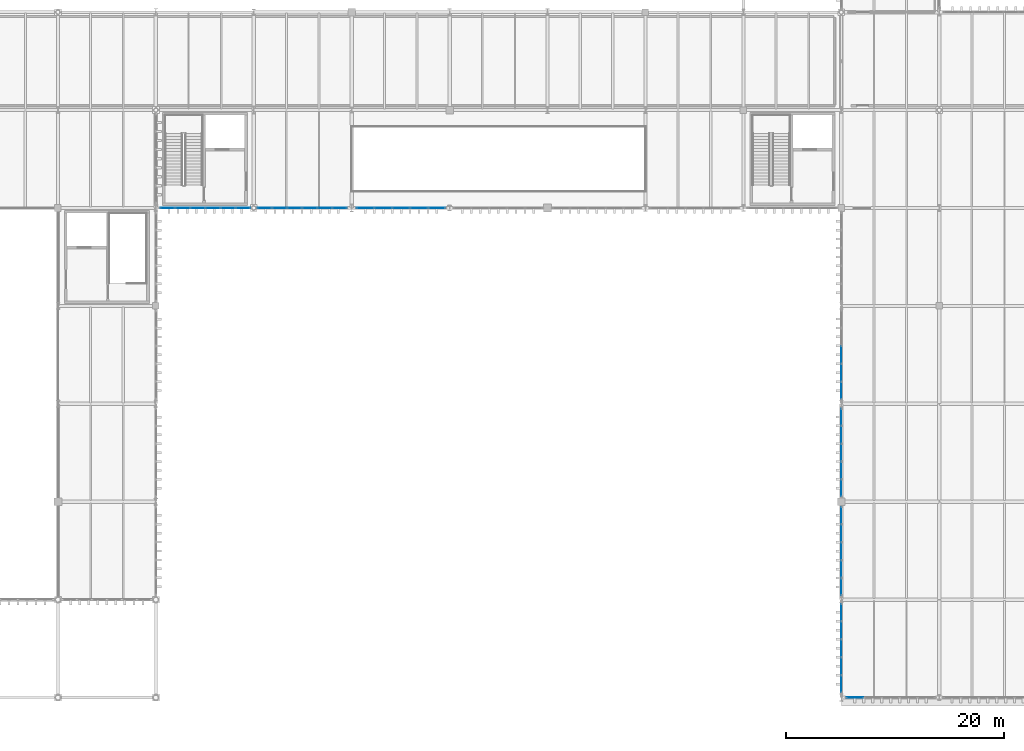
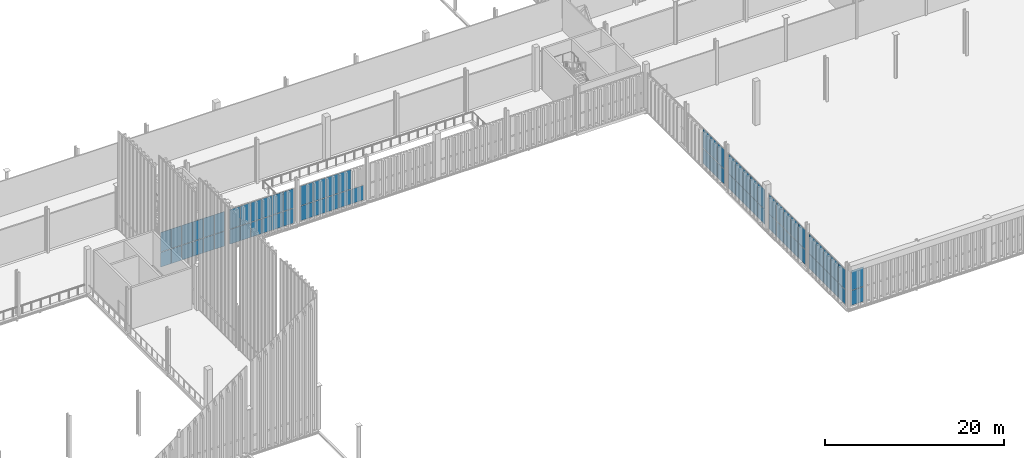
# One storey, part 185 of 237: 71 plates, 8 elements without a shape of their own.
"""IFC4 building model written with IfcOpenShell, lengths in metres."""

import ifcopenshell
import ifcopenshell.guid

model = None  # the IFC model being written
_history = None  # IfcOwnerHistory: only IFC2X3 demands one
_inside = {}  # id of a spatial element -> (the spatial element, [elements in it])
_under = {}  # id of a project, library or spatial element -> (it, [spatial elements below it])
_declared = {}  # id of a project -> (the project, [libraries it declares])
_typed = {}  # id of a type object -> (the type object, [elements of that type])
_made_of = {}  # id of a material, layer set ... -> (it, [elements and type objects made of it])


def new_model(schema):
    """Start an empty IFC model of exactly this schema.

    Asked for "IFC4X3", IfcOpenShell would pick the latest addendum, in which some entities
    have other attributes; the version numbers below select the first issue.
    IFC2X3 requires an IfcOwnerHistory on every rooted entity: one is made here for all.
    """
    global model, _history
    if schema == "IFC4X3":
        model = ifcopenshell.file(schema_version=(4, 3, 0, 0))
    else:
        model = ifcopenshell.file(schema=schema)
    _inside.clear()
    _under.clear()
    _declared.clear()
    _typed.clear()
    _made_of.clear()
    _history = None
    if model.schema == "IFC2X3":
        org = make("IfcOrganization", Name="unknown")
        user = make(
            "IfcPersonAndOrganization",
            ThePerson=make("IfcPerson", FamilyName="unknown"),
            TheOrganization=org,
        )
        app = make(
            "IfcApplication",
            ApplicationDeveloper=org,
            Version="unknown",
            ApplicationFullName="unknown",
            ApplicationIdentifier="unknown",
        )
        _history = make(
            "IfcOwnerHistory",
            OwningUser=user,
            OwningApplication=app,
            ChangeAction="ADDED",
            CreationDate=0,
        )
    return model


def make(cls, **values):
    """One entity of the class cls with the attributes given. An attribute that is None is left unset."""
    return model.create_entity(
        cls, **{name: value for name, value in values.items() if value is not None}
    )


def rooted(cls, **values):
    """An entity with a GlobalId (a new one), such as an element, a storey or a relation."""
    return make(cls, GlobalId=ifcopenshell.guid.new(), OwnerHistory=_history, **values)


def si_unit(unit_type, name, prefix=None):
    """IfcSIUnit, for example si_unit("LENGTHUNIT", "METRE", prefix="MILLI")."""
    return make("IfcSIUnit", UnitType=unit_type, Prefix=prefix, Name=name)


def assignment(units):
    """IfcUnitAssignment: the units of a project."""
    return None if units is None else make("IfcUnitAssignment", Units=units)


def point(xyz):
    """IfcCartesianPoint."""
    return None if xyz is None else make("IfcCartesianPoint", Coordinates=xyz)


def direction(xyz):
    """IfcDirection."""
    return None if xyz is None else make("IfcDirection", DirectionRatios=xyz)


def frame(location, z_axis=None, x_axis=None):
    """IfcAxis2Placement3D, a coordinate frame: its origin and axes. An axis left out is left unset."""
    return make(
        "IfcAxis2Placement3D",
        Location=point(location),
        Axis=direction(z_axis),
        RefDirection=direction(x_axis),
    )


def frame_2d(location, x_axis=None):
    """IfcAxis2Placement2D, a coordinate frame in the plane: its origin and x axis."""
    return make(
        "IfcAxis2Placement2D", Location=point(location), RefDirection=direction(x_axis)
    )


def origin():
    """The frame at (0, 0, 0) with its axes left unset."""
    return frame((0.0, 0.0, 0.0))


def origin_2d():
    """The frame at (0, 0) in the plane with its x axis left unset."""
    return frame_2d((0.0, 0.0))


def place(relative_to, where):
    """IfcLocalPlacement: puts the frame where relative to a parent placement (None: the world)."""
    return make(
        "IfcLocalPlacement", PlacementRelTo=relative_to, RelativePlacement=where
    )


def context(
    kind, dimensions, precision=None, world=None, true_north=None, identifier=None
):
    """IfcGeometricRepresentationContext, for example the 3D "Model" context."""
    return make(
        "IfcGeometricRepresentationContext",
        ContextIdentifier=identifier,
        ContextType=kind,
        CoordinateSpaceDimension=dimensions,
        Precision=precision,
        WorldCoordinateSystem=world,
        TrueNorth=true_north,
    )


def subcontext(parent, identifier, kind, view, scale=None):
    """IfcGeometricRepresentationSubContext, for example "Body" below "Model"."""
    return make(
        "IfcGeometricRepresentationSubContext",
        ContextIdentifier=identifier,
        ContextType=kind,
        ParentContext=parent,
        TargetScale=scale,
        TargetView=view,
    )


def project(units=None, contexts=None):
    """IfcProject with its units and contexts."""
    return rooted(
        "IfcProject",
        Name="project",
        RepresentationContexts=contexts,
        UnitsInContext=assignment(units),
    )


def spatial(cls, under=None, at=None, **own):
    """A site, building, storey or space (cls), placed at a placement, below another one or the project."""
    s = rooted(cls, ObjectPlacement=at, **own)
    if under is not None:
        _under.setdefault(under.id(), (under, []))[1].append(s)
    return s


def profile(cls, at=None, kind="AREA", **sizes):
    """A parametric profile (cls). Its sizes go by their IFC names, for example OverallWidth=200.0."""
    return make(cls, ProfileType=kind, Position=at, **sizes)


def rectangle(**sizes):
    """IfcRectangleProfileDef."""
    return profile("IfcRectangleProfileDef", **sizes)


def extrude(swept, where, along, depth):
    """IfcExtrudedAreaSolid: the profile swept, set in the frame where, extruded along a direction by depth."""
    return make(
        "IfcExtrudedAreaSolid",
        SweptArea=swept,
        Position=where,
        ExtrudedDirection=direction(along),
        Depth=depth,
    )


def shape(context_of_items, identifier, shape_type, items):
    """IfcShapeRepresentation: the items that make up one representation, for example the "Body"."""
    return make(
        "IfcShapeRepresentation",
        ContextOfItems=context_of_items,
        RepresentationIdentifier=identifier,
        RepresentationType=shape_type,
        Items=items,
    )


def material(Name=None, Category=None):
    """IfcMaterial."""
    return make("IfcMaterial", Name=Name, Category=Category)


def layer(
    of_material, thickness, ventilated=None, Name=None, Category=None, Priority=None
):
    """IfcMaterialLayer: one layer of a wall or slab, of a material (None: an air gap)."""
    return make(
        "IfcMaterialLayer",
        Material=of_material,
        LayerThickness=thickness,
        IsVentilated=ventilated,
        Name=Name,
        Category=Category,
        Priority=Priority,
    )


def layer_set(layers, Name=None):
    """IfcMaterialLayerSet."""
    return make("IfcMaterialLayerSet", MaterialLayers=layers, LayerSetName=Name)


def made_of(thing, what):
    """Note that an element or type object is made of a material, layer set ...; save() writes the relation."""
    if what is not None:
        _made_of.setdefault(what.id(), (what, []))[1].append(thing)
    return thing


def type_object(cls, material=None, **own):
    """A type object (cls), such as IfcWallType, which elements share."""
    return made_of(rooted(cls, **own), material)


def element(
    cls,
    number,
    at=None,
    inside=None,
    cuts=None,
    type_object=None,
    material=None,
    context=None,
    identifier="Body",
    shape_type=None,
    held_by="IfcProductDefinitionShape",
    body=None,
    shapes=None,
    **own,
):
    """One element of the class cls, such as IfcWall. Its Tag is "e" and its number.

    at: its placement. inside: the storey or other place that contains it. cuts: it is an
    opening in that element (IfcRelVoidsElement). A single representation is given by context,
    identifier, shape_type and body (its items); several are given by shapes. held_by: the class
    of the entity that holds the representations. save() writes the other relations.
    """
    e = rooted(cls, Tag="e%d" % number, ObjectPlacement=at, **own)
    if body is not None:
        shapes = [shape(context, identifier, shape_type, body)]
    if shapes is not None:
        e.Representation = make(held_by, Representations=shapes)
    if inside is not None:
        _inside.setdefault(inside.id(), (inside, []))[1].append(e)
    if cuts is not None:
        rooted(
            "IfcRelVoidsElement", RelatingBuildingElement=cuts, RelatedOpeningElement=e
        )
    if type_object is not None:
        _typed.setdefault(type_object.id(), (type_object, []))[1].append(e)
    return made_of(e, material)


def aggregate(whole, parts):
    """IfcRelAggregates: a whole, such as a stair, and the parts it consists of."""
    return rooted("IfcRelAggregates", RelatingObject=whole, RelatedObjects=parts)


def save(model, path):
    """Write the relations noted so far, then the file.

    IfcRelAggregates (storeys below a building ...), IfcRelContainedInSpatialStructure (elements
    in a storey), IfcRelDefinesByType, IfcRelAssociatesMaterial and IfcRelDeclares: one each for
    every whole, place, type object, material and project.
    """
    for whole, parts in _under.values():
        aggregate(whole, parts)
    for where, things in _inside.values():
        rooted(
            "IfcRelContainedInSpatialStructure",
            RelatedElements=things,
            RelatingStructure=where,
        )
    for kind, things in _typed.values():
        rooted("IfcRelDefinesByType", RelatedObjects=things, RelatingType=kind)
    for what, things in _made_of.values():
        rooted("IfcRelAssociatesMaterial", RelatedObjects=things, RelatingMaterial=what)
    for by, libraries in _declared.values():
        rooted("IfcRelDeclares", RelatingContext=by, RelatedDefinitions=libraries)
    model.write(path)


model = new_model("IFC4")

# Units and contexts
model_context = context("Model", 3, precision=1e-05, world=origin(), true_north=direction((0.0, 1.0)))
body_context = subcontext(model_context, "Body", "Model", "MODEL_VIEW")
ifc_project = project(units=[si_unit("LENGTHUNIT", "METRE"), si_unit("AREAUNIT", "SQUARE_METRE"), si_unit("VOLUMEUNIT", "CUBIC_METRE"), si_unit("PLANEANGLEUNIT", "RADIAN"), si_unit("MASSUNIT", "GRAM", prefix="KILO")], contexts=[model_context])

# Site, building, storey
site_placement = place(None, origin())
site = spatial("IfcSite", under=ifc_project, at=site_placement, CompositionType="ELEMENT")
building_placement = place(site_placement, origin())
building = spatial("IfcBuilding", under=site, at=building_placement, Name="Barlavento Convention Centre", CompositionType="ELEMENT")
storey_placement = place(building_placement, frame((0.0, 0.0, 12.0)))
storey = spatial("IfcBuildingStorey", under=building, at=storey_placement, Name="L02", CompositionType="ELEMENT", Elevation=12.0)

# Curtain wall, plates
ifc_material_1 = material(Name="Powder-coated aluminium and Low-E glass", Category="aluminium")
ifc_layer_1 = layer(ifc_material_1, 0.195068359375)
ifc_layer_set_1 = layer_set([ifc_layer_1], Name="ARC-CW-BALL-L02")
curtain_wall_type = type_object("IfcCurtainWallType", Name="ARC-CW-BALL-L02", PredefinedType="NOTDEFINED", material=ifc_layer_set_1)
curtain_wall_1_placement = place(storey_placement, origin())
curtain_wall_1 = element("IfcCurtainWall", 1, at=curtain_wall_1_placement, inside=storey, type_object=curtain_wall_type, Name="L02 unitised curtain wall CW07", PredefinedType="NOTDEFINED")
ifc_material_2 = material(Name="Double-silver Low-E acoustic laminated glass", Category="glass")
ifc_layer_2 = layer(ifc_material_2, 0.031982421875)
ifc_layer_set_2 = layer_set([ifc_layer_2], Name="ARC-CWP-GLZ32")
plate_type_1 = type_object("IfcPlateType", Name="ARC-CWP-GLZ32", PredefinedType="CURTAIN_PANEL", material=ifc_layer_set_2)
plate_1_placement = place(storey_placement, frame((64.078125, 45.0, 0.06494140625), z_axis=(0.0, 0.0, 1.0), x_axis=(1.0, 0.0, 0.0)))
plate_1 = element("IfcPlate", 2, at=plate_1_placement, type_object=plate_type_1, Name="CW07 panel 1.1", PredefinedType="CURTAIN_PANEL", context=body_context, shape_type="SweptSolid", body=[
    extrude(rectangle(XDim=1.294189453125, YDim=0.031982421875, at=origin_2d()), origin(), (0.0, 0.0, 1.0), 2.00244140625),
])
plate_2_placement = place(storey_placement, frame((64.078125, 45.0, 2.13232421875), z_axis=(0.0, 0.0, 1.0), x_axis=(1.0, 0.0, 0.0)))
plate_2 = element("IfcPlate", 3, at=plate_2_placement, type_object=plate_type_1, Name="CW07 panel 1.2", PredefinedType="CURTAIN_PANEL", context=body_context, shape_type="SweptSolid", body=[
    extrude(rectangle(XDim=1.294189453125, YDim=0.031982421875, at=origin_2d()), origin(), (0.0, 0.0, 1.0), 2.652587890625),
])
plate_3_placement = place(storey_placement, frame((65.45361328125, 45.0, 0.06494140625), z_axis=(0.0, 0.0, 1.0), x_axis=(1.0, 0.0, 0.0)))
plate_3 = element("IfcPlate", 4, at=plate_3_placement, type_object=plate_type_1, Name="CW07 panel 2.1", PredefinedType="CURTAIN_PANEL", context=body_context, shape_type="SweptSolid", body=[
    extrude(rectangle(XDim=1.326904296875, YDim=0.031982421875, at=origin_2d()), origin(), (0.0, 0.0, 1.0), 2.00244140625),
])
plate_4_placement = place(storey_placement, frame((65.45361328125, 45.0, 2.13232421875), z_axis=(0.0, 0.0, 1.0), x_axis=(1.0, 0.0, 0.0)))
plate_4 = element("IfcPlate", 5, at=plate_4_placement, type_object=plate_type_1, Name="CW07 panel 2.2", PredefinedType="CURTAIN_PANEL", context=body_context, shape_type="SweptSolid", body=[
    extrude(rectangle(XDim=1.326904296875, YDim=0.031982421875, at=origin_2d()), origin(), (0.0, 0.0, 1.0), 2.652587890625),
])
plate_5_placement = place(storey_placement, frame((66.845458984375, 45.0, 0.06494140625), z_axis=(0.0, 0.0, 1.0), x_axis=(1.0, 0.0, 0.0)))
plate_5 = element("IfcPlate", 6, at=plate_5_placement, type_object=plate_type_1, Name="CW07 panel 3.1", PredefinedType="CURTAIN_PANEL", context=body_context, shape_type="SweptSolid", body=[
    extrude(rectangle(XDim=1.326904296875, YDim=0.031982421875, at=origin_2d()), origin(), (0.0, 0.0, 1.0), 2.00244140625),
])
plate_6_placement = place(storey_placement, frame((66.845458984375, 45.0, 2.13232421875), z_axis=(0.0, 0.0, 1.0), x_axis=(1.0, 0.0, 0.0)))
plate_6 = element("IfcPlate", 7, at=plate_6_placement, type_object=plate_type_1, Name="CW07 panel 3.2", PredefinedType="CURTAIN_PANEL", context=body_context, shape_type="SweptSolid", body=[
    extrude(rectangle(XDim=1.326904296875, YDim=0.031982421875, at=origin_2d()), origin(), (0.0, 0.0, 1.0), 2.652587890625),
])
plate_7_placement = place(storey_placement, frame((68.2373046875, 45.0, 0.06494140625), z_axis=(0.0, 0.0, 1.0), x_axis=(1.0, 0.0, 0.0)))
plate_7 = element("IfcPlate", 8, at=plate_7_placement, type_object=plate_type_1, Name="CW07 panel 4.1", PredefinedType="CURTAIN_PANEL", context=body_context, shape_type="SweptSolid", body=[
    extrude(rectangle(XDim=1.326904296875, YDim=0.031982421875, at=origin_2d()), origin(), (0.0, 0.0, 1.0), 2.00244140625),
])
plate_8_placement = place(storey_placement, frame((68.2373046875, 45.0, 2.13232421875), z_axis=(0.0, 0.0, 1.0), x_axis=(1.0, 0.0, 0.0)))
plate_8 = element("IfcPlate", 9, at=plate_8_placement, type_object=plate_type_1, Name="CW07 panel 4.2", PredefinedType="CURTAIN_PANEL", context=body_context, shape_type="SweptSolid", body=[
    extrude(rectangle(XDim=1.326904296875, YDim=0.031982421875, at=origin_2d()), origin(), (0.0, 0.0, 1.0), 2.652587890625),
])
plate_9_placement = place(storey_placement, frame((69.629150390625, 45.0, 0.06494140625), z_axis=(0.0, 0.0, 1.0), x_axis=(1.0, 0.0, 0.0)))
plate_9 = element("IfcPlate", 10, at=plate_9_placement, type_object=plate_type_1, Name="CW07 panel 5.1", PredefinedType="CURTAIN_PANEL", context=body_context, shape_type="SweptSolid", body=[
    extrude(rectangle(XDim=1.326904296875, YDim=0.031982421875, at=origin_2d()), origin(), (0.0, 0.0, 1.0), 2.00244140625),
])
plate_10_placement = place(storey_placement, frame((69.629150390625, 45.0, 2.13232421875), z_axis=(0.0, 0.0, 1.0), x_axis=(1.0, 0.0, 0.0)))
plate_10 = element("IfcPlate", 11, at=plate_10_placement, type_object=plate_type_1, Name="CW07 panel 5.2", PredefinedType="CURTAIN_PANEL", context=body_context, shape_type="SweptSolid", body=[
    extrude(rectangle(XDim=1.326904296875, YDim=0.031982421875, at=origin_2d()), origin(), (0.0, 0.0, 1.0), 2.652587890625),
])
plate_11_placement = place(storey_placement, frame((71.004638671875, 45.0, 0.06494140625), z_axis=(0.0, 0.0, 1.0), x_axis=(1.0, 0.0, 0.0)))
plate_11 = element("IfcPlate", 12, at=plate_11_placement, type_object=plate_type_1, Name="CW07 panel 6.1", PredefinedType="CURTAIN_PANEL", context=body_context, shape_type="SweptSolid", body=[
    extrude(rectangle(XDim=1.294189453125, YDim=0.031982421875, at=origin_2d()), origin(), (0.0, 0.0, 1.0), 2.00244140625),
])
plate_12_placement = place(storey_placement, frame((71.004638671875, 45.0, 2.13232421875), z_axis=(0.0, 0.0, 1.0), x_axis=(1.0, 0.0, 0.0)))
plate_12 = element("IfcPlate", 13, at=plate_12_placement, type_object=plate_type_1, Name="CW07 panel 6.2", PredefinedType="CURTAIN_PANEL", context=body_context, shape_type="SweptSolid", body=[
    extrude(rectangle(XDim=1.294189453125, YDim=0.031982421875, at=origin_2d()), origin(), (0.0, 0.0, 1.0), 2.652587890625),
])
aggregate(curtain_wall_1, [plate_1, plate_2, plate_3, plate_4, plate_5, plate_6, plate_7, plate_8, plate_9, plate_10, plate_11, plate_12])

curtain_wall_2_placement = place(storey_placement, origin())
curtain_wall_2 = element("IfcCurtainWall", 14, at=curtain_wall_2_placement, inside=storey, type_object=curtain_wall_type, Name="L02 unitised curtain wall CW07", PredefinedType="NOTDEFINED")
plate_13_placement = place(storey_placement, frame((72.991455078125, 45.0, 0.06494140625), z_axis=(0.0, 0.0, 1.0), x_axis=(1.0, 0.0, 0.0)))
plate_13 = element("IfcPlate", 15, at=plate_13_placement, type_object=plate_type_1, Name="CW07 panel 1.1", PredefinedType="CURTAIN_PANEL", context=body_context, shape_type="SweptSolid", body=[
    extrude(rectangle(XDim=1.286376953125, YDim=0.031982421875, at=origin_2d()), origin(), (0.0, 0.0, 1.0), 2.00244140625),
])
plate_14_placement = place(storey_placement, frame((72.991455078125, 45.0, 2.13232421875), z_axis=(0.0, 0.0, 1.0), x_axis=(1.0, 0.0, 0.0)))
plate_14 = element("IfcPlate", 16, at=plate_14_placement, type_object=plate_type_1, Name="CW07 panel 1.2", PredefinedType="CURTAIN_PANEL", context=body_context, shape_type="SweptSolid", body=[
    extrude(rectangle(XDim=1.286376953125, YDim=0.031982421875, at=origin_2d()), origin(), (0.0, 0.0, 1.0), 2.652587890625),
])
plate_15_placement = place(storey_placement, frame((74.35888671875, 45.0, 0.06494140625), z_axis=(0.0, 0.0, 1.0), x_axis=(1.0, 0.0, 0.0)))
plate_15 = element("IfcPlate", 17, at=plate_15_placement, type_object=plate_type_1, Name="CW07 panel 2.1", PredefinedType="CURTAIN_PANEL", context=body_context, shape_type="SweptSolid", body=[
    extrude(rectangle(XDim=1.31884765625, YDim=0.031982421875, at=origin_2d()), origin(), (0.0, 0.0, 1.0), 2.00244140625),
])
plate_16_placement = place(storey_placement, frame((74.35888671875, 45.0, 2.13232421875), z_axis=(0.0, 0.0, 1.0), x_axis=(1.0, 0.0, 0.0)))
plate_16 = element("IfcPlate", 18, at=plate_16_placement, type_object=plate_type_1, Name="CW07 panel 2.2", PredefinedType="CURTAIN_PANEL", context=body_context, shape_type="SweptSolid", body=[
    extrude(rectangle(XDim=1.31884765625, YDim=0.031982421875, at=origin_2d()), origin(), (0.0, 0.0, 1.0), 2.652587890625),
])
plate_17_placement = place(storey_placement, frame((75.74267578125, 45.0, 0.06494140625), z_axis=(0.0, 0.0, 1.0), x_axis=(1.0, 0.0, 0.0)))
plate_17 = element("IfcPlate", 19, at=plate_17_placement, type_object=plate_type_1, Name="CW07 panel 3.1", PredefinedType="CURTAIN_PANEL", context=body_context, shape_type="SweptSolid", body=[
    extrude(rectangle(XDim=1.31884765625, YDim=0.031982421875, at=origin_2d()), origin(), (0.0, 0.0, 1.0), 2.00244140625),
])
plate_18_placement = place(storey_placement, frame((75.74267578125, 45.0, 2.13232421875), z_axis=(0.0, 0.0, 1.0), x_axis=(1.0, 0.0, 0.0)))
plate_18 = element("IfcPlate", 20, at=plate_18_placement, type_object=plate_type_1, Name="CW07 panel 3.2", PredefinedType="CURTAIN_PANEL", context=body_context, shape_type="SweptSolid", body=[
    extrude(rectangle(XDim=1.31884765625, YDim=0.031982421875, at=origin_2d()), origin(), (0.0, 0.0, 1.0), 2.652587890625),
])
plate_19_placement = place(storey_placement, frame((77.12646484375, 45.0, 0.06494140625), z_axis=(0.0, 0.0, 1.0), x_axis=(1.0, 0.0, 0.0)))
plate_19 = element("IfcPlate", 21, at=plate_19_placement, type_object=plate_type_1, Name="CW07 panel 4.1", PredefinedType="CURTAIN_PANEL", context=body_context, shape_type="SweptSolid", body=[
    extrude(rectangle(XDim=1.31884765625, YDim=0.031982421875, at=origin_2d()), origin(), (0.0, 0.0, 1.0), 2.00244140625),
])
plate_20_placement = place(storey_placement, frame((77.12646484375, 45.0, 2.13232421875), z_axis=(0.0, 0.0, 1.0), x_axis=(1.0, 0.0, 0.0)))
plate_20 = element("IfcPlate", 22, at=plate_20_placement, type_object=plate_type_1, Name="CW07 panel 4.2", PredefinedType="CURTAIN_PANEL", context=body_context, shape_type="SweptSolid", body=[
    extrude(rectangle(XDim=1.31884765625, YDim=0.031982421875, at=origin_2d()), origin(), (0.0, 0.0, 1.0), 2.652587890625),
])
plate_21_placement = place(storey_placement, frame((78.51025390625, 45.0, 0.06494140625), z_axis=(0.0, 0.0, 1.0), x_axis=(1.0, 0.0, 0.0)))
plate_21 = element("IfcPlate", 23, at=plate_21_placement, type_object=plate_type_1, Name="CW07 panel 5.1", PredefinedType="CURTAIN_PANEL", context=body_context, shape_type="SweptSolid", body=[
    extrude(rectangle(XDim=1.31884765625, YDim=0.031982421875, at=origin_2d()), origin(), (0.0, 0.0, 1.0), 2.00244140625),
])
plate_22_placement = place(storey_placement, frame((78.51025390625, 45.0, 2.13232421875), z_axis=(0.0, 0.0, 1.0), x_axis=(1.0, 0.0, 0.0)))
plate_22 = element("IfcPlate", 24, at=plate_22_placement, type_object=plate_type_1, Name="CW07 panel 5.2", PredefinedType="CURTAIN_PANEL", context=body_context, shape_type="SweptSolid", body=[
    extrude(rectangle(XDim=1.31884765625, YDim=0.031982421875, at=origin_2d()), origin(), (0.0, 0.0, 1.0), 2.652587890625),
])
plate_23_placement = place(storey_placement, frame((79.8779296875, 45.0, 0.06494140625), z_axis=(0.0, 0.0, 1.0), x_axis=(1.0, 0.0, 0.0)))
plate_23 = element("IfcPlate", 25, at=plate_23_placement, type_object=plate_type_1, Name="CW07 panel 6.1", PredefinedType="CURTAIN_PANEL", context=body_context, shape_type="SweptSolid", body=[
    extrude(rectangle(XDim=1.286376953125, YDim=0.031982421875, at=origin_2d()), origin(), (0.0, 0.0, 1.0), 2.00244140625),
])
plate_24_placement = place(storey_placement, frame((79.8779296875, 45.0, 2.13232421875), z_axis=(0.0, 0.0, 1.0), x_axis=(1.0, 0.0, 0.0)))
plate_24 = element("IfcPlate", 26, at=plate_24_placement, type_object=plate_type_1, Name="CW07 panel 6.2", PredefinedType="CURTAIN_PANEL", context=body_context, shape_type="SweptSolid", body=[
    extrude(rectangle(XDim=1.286376953125, YDim=0.031982421875, at=origin_2d()), origin(), (0.0, 0.0, 1.0), 2.652587890625),
])
aggregate(curtain_wall_2, [plate_13, plate_14, plate_15, plate_16, plate_17, plate_18, plate_19, plate_20, plate_21, plate_22, plate_23, plate_24])

curtain_wall_3_placement = place(storey_placement, origin())
curtain_wall_3 = element("IfcCurtainWall", 27, at=curtain_wall_3_placement, inside=storey, type_object=curtain_wall_type, Name="L02 unitised curtain wall CW07", PredefinedType="NOTDEFINED")
plate_25_placement = place(storey_placement, frame((82.254638671875, 45.0, 0.06494140625), z_axis=(0.0, 0.0, 1.0), x_axis=(1.0, 0.0, 0.0)))
plate_25 = element("IfcPlate", 28, at=plate_25_placement, type_object=plate_type_1, Name="CW07 panel 1.1", PredefinedType="CURTAIN_PANEL", context=body_context, shape_type="SweptSolid", body=[
    extrude(rectangle(XDim=1.55126953125, YDim=0.031982421875, at=origin_2d()), origin(), (0.0, 0.0, 1.0), 2.00244140625),
])
plate_26_placement = place(storey_placement, frame((82.254638671875, 45.0, 2.13232421875), z_axis=(0.0, 0.0, 1.0), x_axis=(1.0, 0.0, 0.0)))
plate_26 = element("IfcPlate", 29, at=plate_26_placement, type_object=plate_type_1, Name="CW07 panel 1.2", PredefinedType="CURTAIN_PANEL", context=body_context, shape_type="SweptSolid", body=[
    extrude(rectangle(XDim=1.55126953125, YDim=0.031982421875, at=origin_2d()), origin(), (0.0, 0.0, 1.0), 2.652587890625),
])
plate_27_placement = place(storey_placement, frame((83.88720703125, 45.0, 0.06494140625), z_axis=(0.0, 0.0, 1.0), x_axis=(1.0, 0.0, 0.0)))
plate_27 = element("IfcPlate", 30, at=plate_27_placement, type_object=plate_type_1, Name="CW07 panel 2.1", PredefinedType="CURTAIN_PANEL", context=body_context, shape_type="SweptSolid", body=[
    extrude(rectangle(XDim=1.583740234375, YDim=0.031982421875, at=origin_2d()), origin(), (0.0, 0.0, 1.0), 2.00244140625),
])
plate_28_placement = place(storey_placement, frame((83.88720703125, 45.0, 2.13232421875), z_axis=(0.0, 0.0, 1.0), x_axis=(1.0, 0.0, 0.0)))
plate_28 = element("IfcPlate", 31, at=plate_28_placement, type_object=plate_type_1, Name="CW07 panel 2.2", PredefinedType="CURTAIN_PANEL", context=body_context, shape_type="SweptSolid", body=[
    extrude(rectangle(XDim=1.583740234375, YDim=0.031982421875, at=origin_2d()), origin(), (0.0, 0.0, 1.0), 2.652587890625),
])
plate_29_placement = place(storey_placement, frame((85.535888671875, 45.0, 0.06494140625), z_axis=(0.0, 0.0, 1.0), x_axis=(1.0, 0.0, 0.0)))
plate_29 = element("IfcPlate", 32, at=plate_29_placement, type_object=plate_type_1, Name="CW07 panel 3.1", PredefinedType="CURTAIN_PANEL", context=body_context, shape_type="SweptSolid", body=[
    extrude(rectangle(XDim=1.583740234375, YDim=0.031982421875, at=origin_2d()), origin(), (0.0, 0.0, 1.0), 2.00244140625),
])
plate_30_placement = place(storey_placement, frame((85.535888671875, 45.0, 2.13232421875), z_axis=(0.0, 0.0, 1.0), x_axis=(1.0, 0.0, 0.0)))
plate_30 = element("IfcPlate", 33, at=plate_30_placement, type_object=plate_type_1, Name="CW07 panel 3.2", PredefinedType="CURTAIN_PANEL", context=body_context, shape_type="SweptSolid", body=[
    extrude(rectangle(XDim=1.583740234375, YDim=0.031982421875, at=origin_2d()), origin(), (0.0, 0.0, 1.0), 2.652587890625),
])
plate_31_placement = place(storey_placement, frame((87.184814453125, 45.0, 0.06494140625), z_axis=(0.0, 0.0, 1.0), x_axis=(1.0, 0.0, 0.0)))
plate_31 = element("IfcPlate", 34, at=plate_31_placement, type_object=plate_type_1, Name="CW07 panel 4.1", PredefinedType="CURTAIN_PANEL", context=body_context, shape_type="SweptSolid", body=[
    extrude(rectangle(XDim=1.583740234375, YDim=0.031982421875, at=origin_2d()), origin(), (0.0, 0.0, 1.0), 2.00244140625),
])
plate_32_placement = place(storey_placement, frame((87.184814453125, 45.0, 2.13232421875), z_axis=(0.0, 0.0, 1.0), x_axis=(1.0, 0.0, 0.0)))
plate_32 = element("IfcPlate", 35, at=plate_32_placement, type_object=plate_type_1, Name="CW07 panel 4.2", PredefinedType="CURTAIN_PANEL", context=body_context, shape_type="SweptSolid", body=[
    extrude(rectangle(XDim=1.583740234375, YDim=0.031982421875, at=origin_2d()), origin(), (0.0, 0.0, 1.0), 2.652587890625),
])
plate_33_placement = place(storey_placement, frame((88.8173828125, 45.0, 0.06494140625), z_axis=(0.0, 0.0, 1.0), x_axis=(1.0, 0.0, 0.0)))
plate_33 = element("IfcPlate", 36, at=plate_33_placement, type_object=plate_type_1, Name="CW07 panel 5.1", PredefinedType="CURTAIN_PANEL", context=body_context, shape_type="SweptSolid", body=[
    extrude(rectangle(XDim=1.55126953125, YDim=0.031982421875, at=origin_2d()), origin(), (0.0, 0.0, 1.0), 2.00244140625),
])
aggregate(curtain_wall_3, [plate_25, plate_26, plate_27, plate_28, plate_29, plate_30, plate_31, plate_32, plate_33])

curtain_wall_4_placement = place(storey_placement, origin())
curtain_wall_4 = element("IfcCurtainWall", 37, at=curtain_wall_4_placement, inside=storey, type_object=curtain_wall_type, Name="L02 unitised curtain wall CW07", PredefinedType="NOTDEFINED")
plate_34_placement = place(storey_placement, frame((126.0, 1.254638671875, 0.06494140625), z_axis=(0.0, 0.0, 1.0), x_axis=(0.0, 1.0, 0.0)))
plate_34 = element("IfcPlate", 38, at=plate_34_placement, type_object=plate_type_1, Name="CW07 panel 1.1", PredefinedType="CURTAIN_PANEL", context=body_context, shape_type="SweptSolid", body=[
    extrude(rectangle(XDim=1.55126953125, YDim=0.031982421875, at=origin_2d()), origin(), (0.0, 0.0, 1.0), 2.00244140625),
])
plate_35_placement = place(storey_placement, frame((126.0, 1.254638671875, 2.13232421875), z_axis=(0.0, 0.0, 1.0), x_axis=(0.0, 1.0, 0.0)))
plate_35 = element("IfcPlate", 39, at=plate_35_placement, type_object=plate_type_1, Name="CW07 panel 1.2", PredefinedType="CURTAIN_PANEL", context=body_context, shape_type="SweptSolid", body=[
    extrude(rectangle(XDim=1.55126953125, YDim=0.031982421875, at=origin_2d()), origin(), (0.0, 0.0, 1.0), 2.652587890625),
])
plate_36_placement = place(storey_placement, frame((126.0, 2.88720703125, 0.06494140625), z_axis=(0.0, 0.0, 1.0), x_axis=(0.0, 1.0, 0.0)))
plate_36 = element("IfcPlate", 40, at=plate_36_placement, type_object=plate_type_1, Name="CW07 panel 2.1", PredefinedType="CURTAIN_PANEL", context=body_context, shape_type="SweptSolid", body=[
    extrude(rectangle(XDim=1.583740234375, YDim=0.031982421875, at=origin_2d()), origin(), (0.0, 0.0, 1.0), 2.00244140625),
])
plate_37_placement = place(storey_placement, frame((126.0, 2.88720703125, 2.13232421875), z_axis=(0.0, 0.0, 1.0), x_axis=(0.0, 1.0, 0.0)))
plate_37 = element("IfcPlate", 41, at=plate_37_placement, type_object=plate_type_1, Name="CW07 panel 2.2", PredefinedType="CURTAIN_PANEL", context=body_context, shape_type="SweptSolid", body=[
    extrude(rectangle(XDim=1.583740234375, YDim=0.031982421875, at=origin_2d()), origin(), (0.0, 0.0, 1.0), 2.652587890625),
])
plate_38_placement = place(storey_placement, frame((126.0, 4.535888671875, 0.06494140625), z_axis=(0.0, 0.0, 1.0), x_axis=(0.0, 1.0, 0.0)))
plate_38 = element("IfcPlate", 42, at=plate_38_placement, type_object=plate_type_1, Name="CW07 panel 3.1", PredefinedType="CURTAIN_PANEL", context=body_context, shape_type="SweptSolid", body=[
    extrude(rectangle(XDim=1.583740234375, YDim=0.031982421875, at=origin_2d()), origin(), (0.0, 0.0, 1.0), 2.00244140625),
])
plate_39_placement = place(storey_placement, frame((126.0, 4.535888671875, 2.13232421875), z_axis=(0.0, 0.0, 1.0), x_axis=(0.0, 1.0, 0.0)))
plate_39 = element("IfcPlate", 43, at=plate_39_placement, type_object=plate_type_1, Name="CW07 panel 3.2", PredefinedType="CURTAIN_PANEL", context=body_context, shape_type="SweptSolid", body=[
    extrude(rectangle(XDim=1.583740234375, YDim=0.031982421875, at=origin_2d()), origin(), (0.0, 0.0, 1.0), 2.652587890625),
])
plate_40_placement = place(storey_placement, frame((126.0, 6.184814453125, 0.06494140625), z_axis=(0.0, 0.0, 1.0), x_axis=(0.0, 1.0, 0.0)))
plate_40 = element("IfcPlate", 44, at=plate_40_placement, type_object=plate_type_1, Name="CW07 panel 4.1", PredefinedType="CURTAIN_PANEL", context=body_context, shape_type="SweptSolid", body=[
    extrude(rectangle(XDim=1.583740234375, YDim=0.031982421875, at=origin_2d()), origin(), (0.0, 0.0, 1.0), 2.00244140625),
])
plate_41_placement = place(storey_placement, frame((126.0, 6.184814453125, 2.13232421875), z_axis=(0.0, 0.0, 1.0), x_axis=(0.0, 1.0, 0.0)))
plate_41 = element("IfcPlate", 45, at=plate_41_placement, type_object=plate_type_1, Name="CW07 panel 4.2", PredefinedType="CURTAIN_PANEL", context=body_context, shape_type="SweptSolid", body=[
    extrude(rectangle(XDim=1.583740234375, YDim=0.031982421875, at=origin_2d()), origin(), (0.0, 0.0, 1.0), 2.652587890625),
])
plate_42_placement = place(storey_placement, frame((126.0, 7.8173828125, 0.06494140625), z_axis=(0.0, 0.0, 1.0), x_axis=(0.0, 1.0, 0.0)))
plate_42 = element("IfcPlate", 46, at=plate_42_placement, type_object=plate_type_1, Name="CW07 panel 5.1", PredefinedType="CURTAIN_PANEL", context=body_context, shape_type="SweptSolid", body=[
    extrude(rectangle(XDim=1.55126953125, YDim=0.031982421875, at=origin_2d()), origin(), (0.0, 0.0, 1.0), 2.00244140625),
])
plate_43_placement = place(storey_placement, frame((126.0, 7.8173828125, 2.13232421875), z_axis=(0.0, 0.0, 1.0), x_axis=(0.0, 1.0, 0.0)))
plate_43 = element("IfcPlate", 47, at=plate_43_placement, type_object=plate_type_1, Name="CW07 panel 5.2", PredefinedType="CURTAIN_PANEL", context=body_context, shape_type="SweptSolid", body=[
    extrude(rectangle(XDim=1.55126953125, YDim=0.031982421875, at=origin_2d()), origin(), (0.0, 0.0, 1.0), 2.652587890625),
])
aggregate(curtain_wall_4, [plate_34, plate_35, plate_36, plate_37, plate_38, plate_39, plate_40, plate_41, plate_42, plate_43])

curtain_wall_5_placement = place(storey_placement, origin())
curtain_wall_5 = element("IfcCurtainWall", 48, at=curtain_wall_5_placement, inside=storey, type_object=curtain_wall_type, Name="L02 unitised curtain wall CW07", PredefinedType="NOTDEFINED")
plate_44_placement = place(storey_placement, frame((126.0, 10.18115234375, 0.06494140625), z_axis=(0.0, 0.0, 1.0), x_axis=(0.0, 1.0, 0.0)))
plate_44 = element("IfcPlate", 49, at=plate_44_placement, type_object=plate_type_1, Name="CW07 panel 1.1", PredefinedType="CURTAIN_PANEL", context=body_context, shape_type="SweptSolid", body=[
    extrude(rectangle(XDim=1.548095703125, YDim=0.031982421875, at=origin_2d()), origin(), (0.0, 0.0, 1.0), 2.00244140625),
])
plate_45_placement = place(storey_placement, frame((126.0, 10.18115234375, 2.13232421875), z_axis=(0.0, 0.0, 1.0), x_axis=(0.0, 1.0, 0.0)))
plate_45 = element("IfcPlate", 50, at=plate_45_placement, type_object=plate_type_1, Name="CW07 panel 1.2", PredefinedType="CURTAIN_PANEL", context=body_context, shape_type="SweptSolid", body=[
    extrude(rectangle(XDim=1.548095703125, YDim=0.031982421875, at=origin_2d()), origin(), (0.0, 0.0, 1.0), 2.652587890625),
])
plate_46_placement = place(storey_placement, frame((126.0, 11.810302734375, 0.06494140625), z_axis=(0.0, 0.0, 1.0), x_axis=(0.0, 1.0, 0.0)))
plate_46 = element("IfcPlate", 51, at=plate_46_placement, type_object=plate_type_1, Name="CW07 panel 2.1", PredefinedType="CURTAIN_PANEL", context=body_context, shape_type="SweptSolid", body=[
    extrude(rectangle(XDim=1.58056640625, YDim=0.031982421875, at=origin_2d()), origin(), (0.0, 0.0, 1.0), 2.00244140625),
])
plate_47_placement = place(storey_placement, frame((126.0, 11.810302734375, 2.13232421875), z_axis=(0.0, 0.0, 1.0), x_axis=(0.0, 1.0, 0.0)))
plate_47 = element("IfcPlate", 52, at=plate_47_placement, type_object=plate_type_1, Name="CW07 panel 2.2", PredefinedType="CURTAIN_PANEL", context=body_context, shape_type="SweptSolid", body=[
    extrude(rectangle(XDim=1.58056640625, YDim=0.031982421875, at=origin_2d()), origin(), (0.0, 0.0, 1.0), 2.652587890625),
])
plate_48_placement = place(storey_placement, frame((126.0, 13.4560546875, 0.06494140625), z_axis=(0.0, 0.0, 1.0), x_axis=(0.0, 1.0, 0.0)))
plate_48 = element("IfcPlate", 53, at=plate_48_placement, type_object=plate_type_1, Name="CW07 panel 3.1", PredefinedType="CURTAIN_PANEL", context=body_context, shape_type="SweptSolid", body=[
    extrude(rectangle(XDim=1.58056640625, YDim=0.031982421875, at=origin_2d()), origin(), (0.0, 0.0, 1.0), 2.00244140625),
])
plate_49_placement = place(storey_placement, frame((126.0, 13.4560546875, 2.13232421875), z_axis=(0.0, 0.0, 1.0), x_axis=(0.0, 1.0, 0.0)))
plate_49 = element("IfcPlate", 54, at=plate_49_placement, type_object=plate_type_1, Name="CW07 panel 3.2", PredefinedType="CURTAIN_PANEL", context=body_context, shape_type="SweptSolid", body=[
    extrude(rectangle(XDim=1.58056640625, YDim=0.031982421875, at=origin_2d()), origin(), (0.0, 0.0, 1.0), 2.652587890625),
])
plate_50_placement = place(storey_placement, frame((126.0, 15.1015625, 0.06494140625), z_axis=(0.0, 0.0, 1.0), x_axis=(0.0, 1.0, 0.0)))
plate_50 = element("IfcPlate", 55, at=plate_50_placement, type_object=plate_type_1, Name="CW07 panel 4.1", PredefinedType="CURTAIN_PANEL", context=body_context, shape_type="SweptSolid", body=[
    extrude(rectangle(XDim=1.58056640625, YDim=0.031982421875, at=origin_2d()), origin(), (0.0, 0.0, 1.0), 2.00244140625),
])
plate_51_placement = place(storey_placement, frame((126.0, 15.1015625, 2.13232421875), z_axis=(0.0, 0.0, 1.0), x_axis=(0.0, 1.0, 0.0)))
plate_51 = element("IfcPlate", 56, at=plate_51_placement, type_object=plate_type_1, Name="CW07 panel 4.2", PredefinedType="CURTAIN_PANEL", context=body_context, shape_type="SweptSolid", body=[
    extrude(rectangle(XDim=1.58056640625, YDim=0.031982421875, at=origin_2d()), origin(), (0.0, 0.0, 1.0), 2.652587890625),
])
plate_52_placement = place(storey_placement, frame((126.0, 16.73095703125, 0.06494140625), z_axis=(0.0, 0.0, 1.0), x_axis=(0.0, 1.0, 0.0)))
plate_52 = element("IfcPlate", 57, at=plate_52_placement, type_object=plate_type_1, Name="CW07 panel 5.1", PredefinedType="CURTAIN_PANEL", context=body_context, shape_type="SweptSolid", body=[
    extrude(rectangle(XDim=1.548095703125, YDim=0.031982421875, at=origin_2d()), origin(), (0.0, 0.0, 1.0), 2.00244140625),
])
plate_53_placement = place(storey_placement, frame((126.0, 16.73095703125, 2.13232421875), z_axis=(0.0, 0.0, 1.0), x_axis=(0.0, 1.0, 0.0)))
plate_53 = element("IfcPlate", 58, at=plate_53_placement, type_object=plate_type_1, Name="CW07 panel 5.2", PredefinedType="CURTAIN_PANEL", context=body_context, shape_type="SweptSolid", body=[
    extrude(rectangle(XDim=1.548095703125, YDim=0.031982421875, at=origin_2d()), origin(), (0.0, 0.0, 1.0), 2.652587890625),
])
aggregate(curtain_wall_5, [plate_44, plate_45, plate_46, plate_47, plate_48, plate_49, plate_50, plate_51, plate_52, plate_53])

curtain_wall_6_placement = place(storey_placement, origin())
curtain_wall_6 = element("IfcCurtainWall", 59, at=curtain_wall_6_placement, inside=storey, type_object=curtain_wall_type, Name="L02 unitised curtain wall CW07", PredefinedType="NOTDEFINED")
plate_54_placement = place(storey_placement, frame((126.0, 19.26416015625, 0.06494140625), z_axis=(0.0, 0.0, 1.0), x_axis=(0.0, 1.0, 0.0)))
plate_54 = element("IfcPlate", 60, at=plate_54_placement, type_object=plate_type_1, Name="CW07 panel 1.1", PredefinedType="CURTAIN_PANEL", context=body_context, shape_type="SweptSolid", body=[
    extrude(rectangle(XDim=1.53857421875, YDim=0.031982421875, at=origin_2d()), origin(), (0.0, 0.0, 1.0), 2.00244140625),
])
plate_55_placement = place(storey_placement, frame((126.0, 19.26416015625, 2.13232421875), z_axis=(0.0, 0.0, 1.0), x_axis=(0.0, 1.0, 0.0)))
plate_55 = element("IfcPlate", 61, at=plate_55_placement, type_object=plate_type_1, Name="CW07 panel 1.2", PredefinedType="CURTAIN_PANEL", context=body_context, shape_type="SweptSolid", body=[
    extrude(rectangle(XDim=1.53857421875, YDim=0.031982421875, at=origin_2d()), origin(), (0.0, 0.0, 1.0), 2.652587890625),
])
plate_56_placement = place(storey_placement, frame((126.0, 20.884033203125, 0.06494140625), z_axis=(0.0, 0.0, 1.0), x_axis=(0.0, 1.0, 0.0)))
plate_56 = element("IfcPlate", 62, at=plate_56_placement, type_object=plate_type_1, Name="CW07 panel 2.1", PredefinedType="CURTAIN_PANEL", context=body_context, shape_type="SweptSolid", body=[
    extrude(rectangle(XDim=1.571044921875, YDim=0.031982421875, at=origin_2d()), origin(), (0.0, 0.0, 1.0), 2.00244140625),
])
plate_57_placement = place(storey_placement, frame((126.0, 20.884033203125, 2.13232421875), z_axis=(0.0, 0.0, 1.0), x_axis=(0.0, 1.0, 0.0)))
plate_57 = element("IfcPlate", 63, at=plate_57_placement, type_object=plate_type_1, Name="CW07 panel 2.2", PredefinedType="CURTAIN_PANEL", context=body_context, shape_type="SweptSolid", body=[
    extrude(rectangle(XDim=1.571044921875, YDim=0.031982421875, at=origin_2d()), origin(), (0.0, 0.0, 1.0), 2.652587890625),
])
plate_58_placement = place(storey_placement, frame((126.0, 22.52001953125, 0.06494140625), z_axis=(0.0, 0.0, 1.0), x_axis=(0.0, 1.0, 0.0)))
plate_58 = element("IfcPlate", 64, at=plate_58_placement, type_object=plate_type_1, Name="CW07 panel 3.1", PredefinedType="CURTAIN_PANEL", context=body_context, shape_type="SweptSolid", body=[
    extrude(rectangle(XDim=1.571044921875, YDim=0.031982421875, at=origin_2d()), origin(), (0.0, 0.0, 1.0), 2.00244140625),
])
plate_59_placement = place(storey_placement, frame((126.0, 22.52001953125, 2.13232421875), z_axis=(0.0, 0.0, 1.0), x_axis=(0.0, 1.0, 0.0)))
plate_59 = element("IfcPlate", 65, at=plate_59_placement, type_object=plate_type_1, Name="CW07 panel 3.2", PredefinedType="CURTAIN_PANEL", context=body_context, shape_type="SweptSolid", body=[
    extrude(rectangle(XDim=1.571044921875, YDim=0.031982421875, at=origin_2d()), origin(), (0.0, 0.0, 1.0), 2.652587890625),
])
plate_60_placement = place(storey_placement, frame((126.0, 24.156005859375, 0.06494140625), z_axis=(0.0, 0.0, 1.0), x_axis=(0.0, 1.0, 0.0)))
plate_60 = element("IfcPlate", 66, at=plate_60_placement, type_object=plate_type_1, Name="CW07 panel 4.1", PredefinedType="CURTAIN_PANEL", context=body_context, shape_type="SweptSolid", body=[
    extrude(rectangle(XDim=1.571044921875, YDim=0.031982421875, at=origin_2d()), origin(), (0.0, 0.0, 1.0), 2.00244140625),
])
plate_61_placement = place(storey_placement, frame((126.0, 24.156005859375, 2.13232421875), z_axis=(0.0, 0.0, 1.0), x_axis=(0.0, 1.0, 0.0)))
plate_61 = element("IfcPlate", 67, at=plate_61_placement, type_object=plate_type_1, Name="CW07 panel 4.2", PredefinedType="CURTAIN_PANEL", context=body_context, shape_type="SweptSolid", body=[
    extrude(rectangle(XDim=1.571044921875, YDim=0.031982421875, at=origin_2d()), origin(), (0.0, 0.0, 1.0), 2.652587890625),
])
plate_62_placement = place(storey_placement, frame((126.0, 25.775634765625, 0.06494140625), z_axis=(0.0, 0.0, 1.0), x_axis=(0.0, 1.0, 0.0)))
plate_62 = element("IfcPlate", 68, at=plate_62_placement, type_object=plate_type_1, Name="CW07 panel 5.1", PredefinedType="CURTAIN_PANEL", context=body_context, shape_type="SweptSolid", body=[
    extrude(rectangle(XDim=1.53857421875, YDim=0.031982421875, at=origin_2d()), origin(), (0.0, 0.0, 1.0), 2.00244140625),
])
plate_63_placement = place(storey_placement, frame((126.0, 25.775634765625, 2.13232421875), z_axis=(0.0, 0.0, 1.0), x_axis=(0.0, 1.0, 0.0)))
plate_63 = element("IfcPlate", 69, at=plate_63_placement, type_object=plate_type_1, Name="CW07 panel 5.2", PredefinedType="CURTAIN_PANEL", context=body_context, shape_type="SweptSolid", body=[
    extrude(rectangle(XDim=1.53857421875, YDim=0.031982421875, at=origin_2d()), origin(), (0.0, 0.0, 1.0), 2.652587890625),
])
aggregate(curtain_wall_6, [plate_54, plate_55, plate_56, plate_57, plate_58, plate_59, plate_60, plate_61, plate_62, plate_63])

curtain_wall_7_placement = place(storey_placement, origin())
curtain_wall_7 = element("IfcCurtainWall", 70, at=curtain_wall_7_placement, inside=storey, type_object=curtain_wall_type, Name="L02 unitised curtain wall CW07", PredefinedType="NOTDEFINED")
plate_64_placement = place(storey_placement, frame((126.0, 28.229248046875, 0.06494140625), z_axis=(0.0, 0.0, 1.0), x_axis=(0.0, 1.0, 0.0)))
plate_64 = element("IfcPlate", 71, at=plate_64_placement, type_object=plate_type_1, Name="CW07 panel 1.1", PredefinedType="CURTAIN_PANEL", context=body_context, shape_type="SweptSolid", body=[
    extrude(rectangle(XDim=1.548583984375, YDim=0.031982421875, at=origin_2d()), origin(), (0.0, 0.0, 1.0), 2.00244140625),
])
plate_65_placement = place(storey_placement, frame((126.0, 28.229248046875, 2.13232421875), z_axis=(0.0, 0.0, 1.0), x_axis=(0.0, 1.0, 0.0)))
plate_65 = element("IfcPlate", 72, at=plate_65_placement, type_object=plate_type_1, Name="CW07 panel 1.2", PredefinedType="CURTAIN_PANEL", context=body_context, shape_type="SweptSolid", body=[
    extrude(rectangle(XDim=1.548583984375, YDim=0.031982421875, at=origin_2d()), origin(), (0.0, 0.0, 1.0), 2.652587890625),
])
plate_66_placement = place(storey_placement, frame((126.0, 29.85888671875, 0.06494140625), z_axis=(0.0, 0.0, 1.0), x_axis=(0.0, 1.0, 0.0)))
plate_66 = element("IfcPlate", 73, at=plate_66_placement, type_object=plate_type_1, Name="CW07 panel 2.1", PredefinedType="CURTAIN_PANEL", context=body_context, shape_type="SweptSolid", body=[
    extrude(rectangle(XDim=1.5810546875, YDim=0.031982421875, at=origin_2d()), origin(), (0.0, 0.0, 1.0), 2.00244140625),
])
plate_67_placement = place(storey_placement, frame((126.0, 29.85888671875, 2.13232421875), z_axis=(0.0, 0.0, 1.0), x_axis=(0.0, 1.0, 0.0)))
plate_67 = element("IfcPlate", 74, at=plate_67_placement, type_object=plate_type_1, Name="CW07 panel 2.2", PredefinedType="CURTAIN_PANEL", context=body_context, shape_type="SweptSolid", body=[
    extrude(rectangle(XDim=1.5810546875, YDim=0.031982421875, at=origin_2d()), origin(), (0.0, 0.0, 1.0), 2.652587890625),
])
plate_68_placement = place(storey_placement, frame((126.0, 31.5048828125, 0.06494140625), z_axis=(0.0, 0.0, 1.0), x_axis=(0.0, 1.0, 0.0)))
plate_68 = element("IfcPlate", 75, at=plate_68_placement, type_object=plate_type_1, Name="CW07 panel 3.1", PredefinedType="CURTAIN_PANEL", context=body_context, shape_type="SweptSolid", body=[
    extrude(rectangle(XDim=1.5810546875, YDim=0.031982421875, at=origin_2d()), origin(), (0.0, 0.0, 1.0), 2.00244140625),
])
plate_69_placement = place(storey_placement, frame((126.0, 31.5048828125, 2.13232421875), z_axis=(0.0, 0.0, 1.0), x_axis=(0.0, 1.0, 0.0)))
plate_69 = element("IfcPlate", 76, at=plate_69_placement, type_object=plate_type_1, Name="CW07 panel 3.2", PredefinedType="CURTAIN_PANEL", context=body_context, shape_type="SweptSolid", body=[
    extrude(rectangle(XDim=1.5810546875, YDim=0.031982421875, at=origin_2d()), origin(), (0.0, 0.0, 1.0), 2.652587890625),
])
aggregate(curtain_wall_7, [plate_64, plate_65, plate_66, plate_67, plate_68, plate_69])

curtain_wall_8_placement = place(storey_placement, origin())
curtain_wall_8 = element("IfcCurtainWall", 77, at=curtain_wall_8_placement, inside=storey, type_object=curtain_wall_type, Name="L02 unitised curtain wall CW07", PredefinedType="NOTDEFINED")
ifc_material_3 = material(Name="Glazed terracotta spandrel panel", Category="masonry")
ifc_layer_3 = layer(ifc_material_3, 0.044921875)
ifc_layer_set_3 = layer_set([ifc_layer_3], Name="ARC-CWP-TER45")
plate_type_2 = type_object("IfcPlateType", Name="ARC-CWP-TER45", PredefinedType="CURTAIN_PANEL", material=ifc_layer_set_3)
plate_70_placement = place(storey_placement, frame((127.263916015625, 0.0, 0.06494140625), z_axis=(0.0, 0.0, 1.0), x_axis=(1.0, 0.0, 0.0)))
plate_70 = element("IfcPlate", 78, at=plate_70_placement, type_object=plate_type_2, Name="CW07 panel 1.1", PredefinedType="CURTAIN_PANEL", context=body_context, shape_type="SweptSolid", body=[
    extrude(rectangle(XDim=1.539794921875, YDim=0.044921875, at=origin_2d()), origin(), (0.0, 0.0, 1.0), 2.00244140625),
])
plate_71_placement = place(storey_placement, frame((127.263916015625, 0.0, 2.13232421875), z_axis=(0.0, 0.0, 1.0), x_axis=(1.0, 0.0, 0.0)))
plate_71 = element("IfcPlate", 79, at=plate_71_placement, type_object=plate_type_2, Name="CW07 panel 1.2", PredefinedType="CURTAIN_PANEL", context=body_context, shape_type="SweptSolid", body=[
    extrude(rectangle(XDim=1.539794921875, YDim=0.044921875, at=origin_2d()), origin(), (0.0, 0.0, 1.0), 2.652587890625),
])
aggregate(curtain_wall_8, [plate_70, plate_71])

save(model, "model.ifc")
